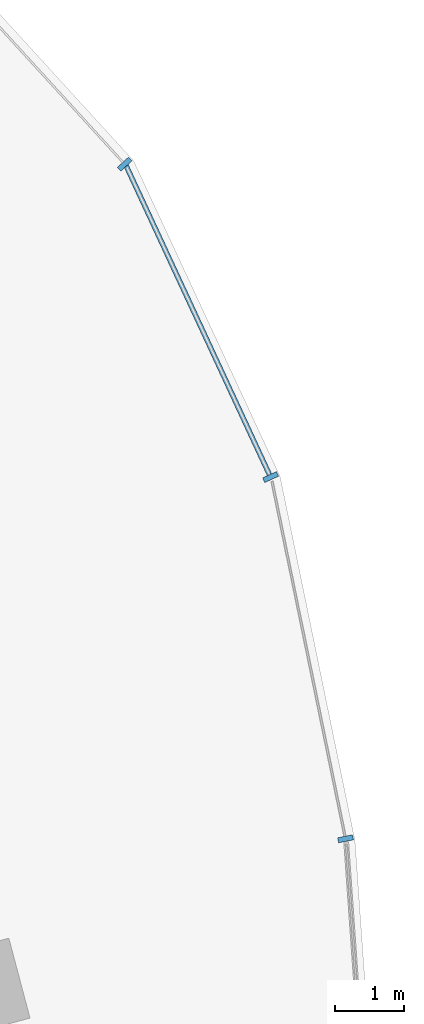
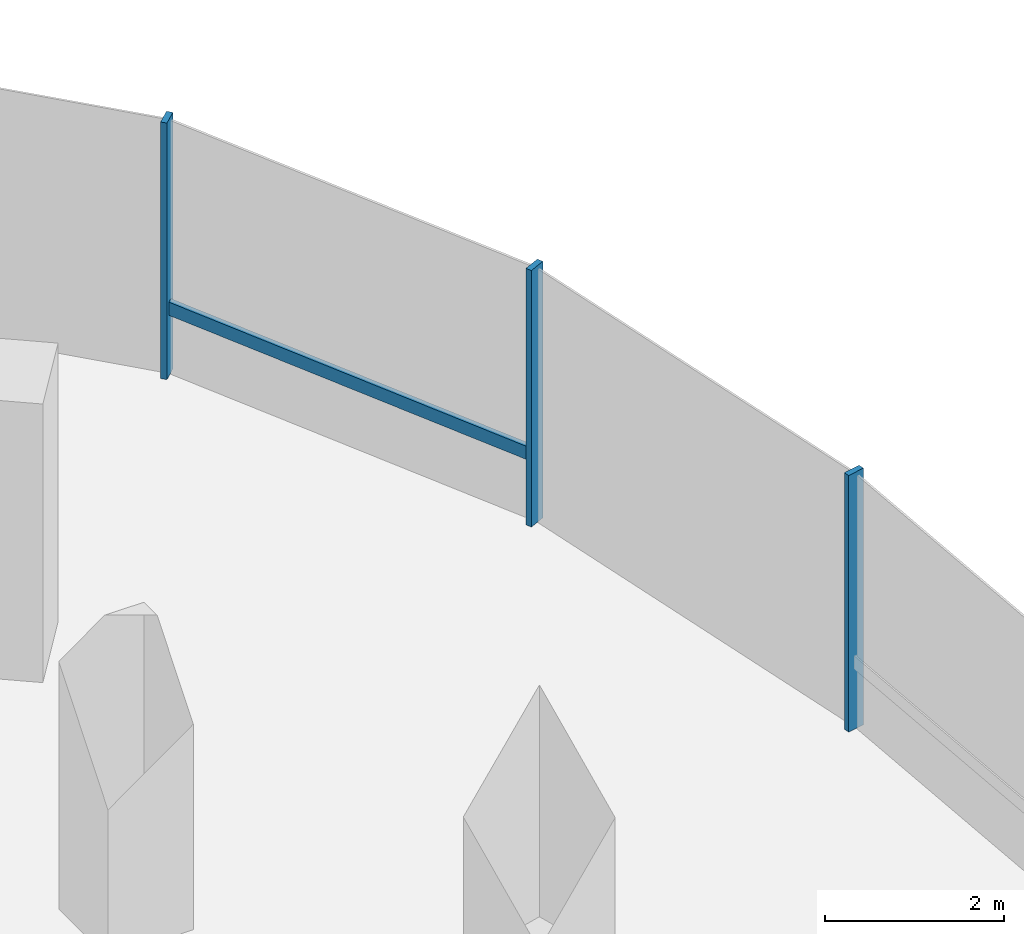
# One storey, part 8 of 21: 4 members, 1 element without a shape of its own.
"""IFC4 building model written with IfcOpenShell, lengths in metres."""

from ifc_helpers import new_model, si_unit, direction, frame, origin, origin_2d, place, context, subcontext, project, spatial, rectangle, extrude, material, material_profile, profile_set, type_object, element, aggregate, save


model = new_model("IFC4")

# Units and contexts
model_context = context("Model", 3, precision=1e-05, world=origin(), true_north=direction((0.0, 1.0)))
body_context = subcontext(model_context, "Body", "Model", "MODEL_VIEW")
ifc_project = project(units=[si_unit("LENGTHUNIT", "METRE"), si_unit("AREAUNIT", "SQUARE_METRE"), si_unit("VOLUMEUNIT", "CUBIC_METRE"), si_unit("PLANEANGLEUNIT", "RADIAN"), si_unit("MASSUNIT", "GRAM", prefix="KILO"), si_unit("THERMODYNAMICTEMPERATUREUNIT", "KELVIN"), si_unit("POWERUNIT", "WATT")], contexts=[model_context])

# Site, building, storey
site_placement = place(None, origin())
site = spatial("IfcSite", under=ifc_project, at=site_placement, CompositionType="ELEMENT")
building_placement = place(site_placement, origin())
building = spatial("IfcBuilding", under=site, at=building_placement, Name="Cundina Bronze Exchange", CompositionType="ELEMENT")
storey_placement = place(building_placement, frame((0.0, 0.0, 69.60009765625)))
storey = spatial("IfcBuildingStorey", under=building, at=storey_placement, Name="L17", CompositionType="ELEMENT", Elevation=69.60009765625)

# Curtain wall, members
ifc_material = material(Name="Anodised Bronze Aluminium 6063-T6", Category="aluminium")
curtain_wall_type = type_object("IfcCurtainWallType", Name="CWS-TRD-LOW", PredefinedType="NOTDEFINED", material=ifc_material)
curtain_wall_placement = place(storey_placement, origin())
curtain_wall = element("IfcCurtainWall", 1, at=curtain_wall_placement, inside=storey, type_object=curtain_wall_type, Name="L17 CW-02 Curtain Wall Run CWR-L17-E1", PredefinedType="NOTDEFINED")
ifc_material_profile_1 = material_profile(ifc_material, rectangle(XDim=0.074951171875, YDim=0.219970703125, at=origin_2d()), Name="AL75X220", Category="aluminium")
ifc_profile_set_1 = profile_set([ifc_material_profile_1], Name="Anodised Bronze Aluminium 6063-T6")
member_type_1 = type_object("IfcMemberType", Name="CWM-MUL-220", PredefinedType="MULLION", material=ifc_profile_set_1)
member_1_placement = place(storey_placement, frame((50.717041015625, 8.67822265625, 0.0), z_axis=(0.0, 0.0, 1.0), x_axis=(-0.201419845156, 0.979505000486, 0.0)))
member_1 = element("IfcMember", 2, at=member_1_placement, type_object=member_type_1, Name="CW-02 Mullion 2", PredefinedType="MULLION", context=body_context, shape_type="SweptSolid", body=[
    extrude(rectangle(XDim=0.074951171875, YDim=0.219970703125, at=origin_2d()), origin(), (0.0, 0.0, 1.0), 3.5),
])
member_2_placement = place(storey_placement, frame((49.6279296875, 13.931884765625, 0.0), z_axis=(0.0, 0.0, 1.0), x_axis=(-0.42087749791, 0.907117485088, 0.0)))
member_2 = element("IfcMember", 3, at=member_2_placement, type_object=member_type_1, Name="CW-02 Mullion 3", PredefinedType="MULLION", context=body_context, shape_type="SweptSolid", body=[
    extrude(rectangle(XDim=0.074951171875, YDim=0.219970703125, at=origin_2d()), origin(), (0.0, 0.0, 1.0), 3.5),
])
member_3_placement = place(storey_placement, frame((47.508544921875, 18.47705078125, 0.0), z_axis=(0.0, 0.0, 1.0), x_axis=(-0.674302387584, 0.738455340626, 0.0)))
member_3 = element("IfcMember", 4, at=member_3_placement, type_object=member_type_1, Name="CW-02 Mullion 4", PredefinedType="MULLION", context=body_context, shape_type="SweptSolid", body=[
    extrude(rectangle(XDim=0.074951171875, YDim=0.219970703125, at=origin_2d()), origin(), (0.0, 0.0, 1.0), 3.5),
])
ifc_material_profile_2 = material_profile(ifc_material, rectangle(XDim=0.070068359375, YDim=0.179931640625, at=origin_2d()), Name="AL70X180", Category="aluminium")
ifc_profile_set_2 = profile_set([ifc_material_profile_2], Name="Anodised Bronze Aluminium 6063-T6")
member_type_2 = type_object("IfcMemberType", Name="CWM-TRN-180", PredefinedType="USERDEFINED", material=ifc_profile_set_2)
member_4_placement = place(storey_placement, frame((49.610595703125, 13.96923828125, 0.919921875), z_axis=(-0.420811422796, 0.907148139195, 0.0), x_axis=(-0.907148139195, -0.420811422796, 0.0)))
member_4 = element("IfcMember", 5, at=member_4_placement, type_object=member_type_2, Name="CW-02 Spandrel Transom 3", ObjectType="TRANSOM", PredefinedType="USERDEFINED", context=body_context, shape_type="SweptSolid", body=[
    extrude(rectangle(XDim=0.070068359375, YDim=0.179931640625, at=origin_2d()), origin(), (0.0, 0.0, 1.0), 4.95166015625),
])
aggregate(curtain_wall, [member_1, member_2, member_4, member_3])

save(model, "model.ifc")
